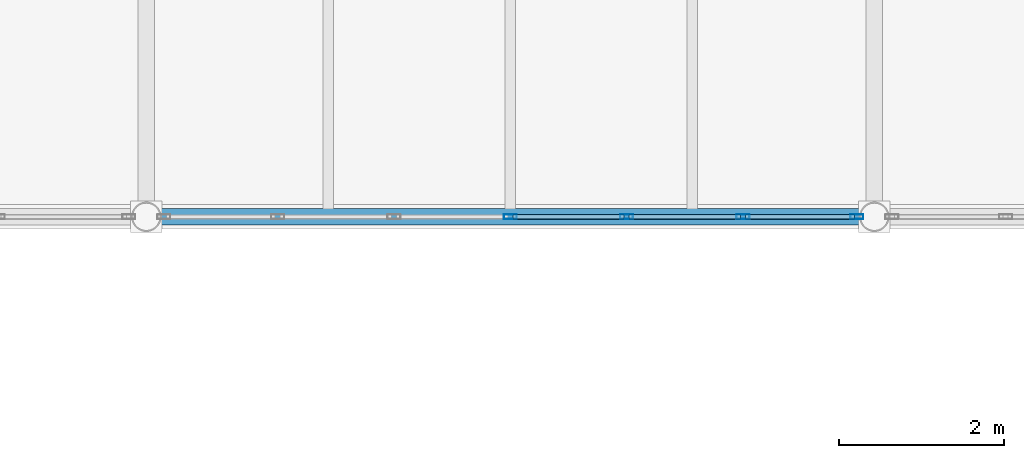
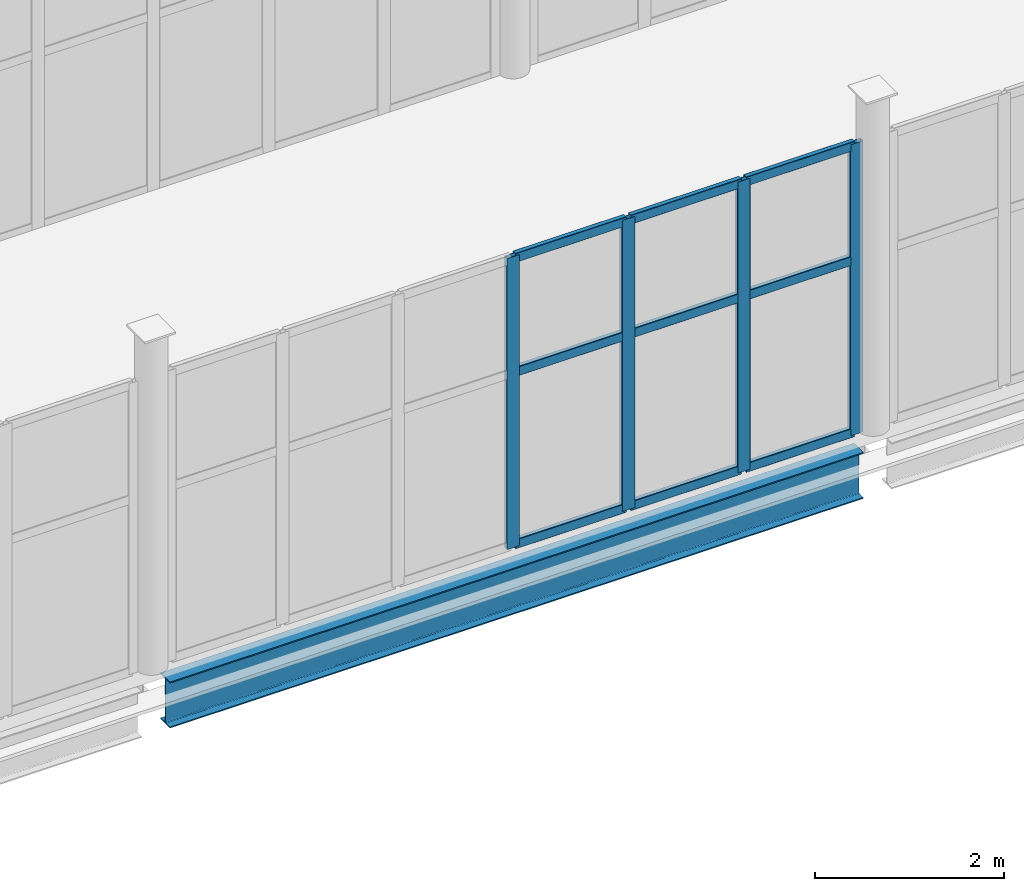
# One storey, part 51 of 172: 13 members, 1 beam, 1 element without a shape of its own.
"""IFC4 building model written with IfcOpenShell, lengths in metres."""

from ifc_helpers import new_model, si_unit, direction, frame, origin, origin_2d, place, context, subcontext, project, spatial, hollow_rectangle, i_section, extrude, material, material_profile, profile_set, type_object, element, aggregate, save


model = new_model("IFC4")

# Units and contexts
model_context = context("Model", 3, precision=1e-05, world=origin(), true_north=direction((0.0, 1.0)))
body_context = subcontext(model_context, "Body", "Model", "MODEL_VIEW")
ifc_project = project(units=[si_unit("LENGTHUNIT", "METRE"), si_unit("AREAUNIT", "SQUARE_METRE"), si_unit("VOLUMEUNIT", "CUBIC_METRE"), si_unit("PLANEANGLEUNIT", "RADIAN"), si_unit("MASSUNIT", "GRAM", prefix="KILO")], contexts=[model_context])

# Site, building, storey
site_placement = place(None, origin())
site = spatial("IfcSite", under=ifc_project, at=site_placement, CompositionType="ELEMENT")
building_placement = place(site_placement, origin())
building = spatial("IfcBuilding", under=site, at=building_placement, Name="Shengluoqiao Park Theatre", CompositionType="ELEMENT")
storey_placement = place(building_placement, frame((0.0, 0.0, 5.39990234375)))
storey = spatial("IfcBuildingStorey", under=building, at=storey_placement, Name="L01", CompositionType="ELEMENT", Elevation=5.39990234375)

# Curtain wall, members
ifc_material_1 = material(Name="Aluminium 6063-T6", Category="aluminium")
curtain_wall_type = type_object("IfcCurtainWallType", Name="ENV-CW-BRIDGE", PredefinedType="NOTDEFINED", material=ifc_material_1)
curtain_wall_placement = place(storey_placement, origin())
curtain_wall = element("IfcCurtainWall", 1, at=curtain_wall_placement, inside=storey, type_object=curtain_wall_type, Name="L01 Curtain Wall CWX-L01-0128", PredefinedType="NOTDEFINED")
ifc_material_profile_1 = material_profile(ifc_material_1, hollow_rectangle(XDim=0.06005859375, YDim=0.159912109375, WallThickness=0.00390625, InnerFilletRadius=0.00390625, OuterFilletRadius=0.008056640625, at=origin_2d()), Name="ALU MULLION 160x60x4")
ifc_profile_set_1 = profile_set([ifc_material_profile_1], Name="Aluminium 6063-T6")
member_type_1 = type_object("IfcMemberType", Name="ENV-MUL-160", PredefinedType="MULLION", material=ifc_profile_set_1)
member_1_placement = place(storey_placement, frame((90.800048828125, 53.199951171875, 0.0), z_axis=(0.0, 0.0, 1.0), x_axis=(0.0, 1.0, 0.0)))
member_1 = element("IfcMember", 2, at=member_1_placement, type_object=member_type_1, Name="CW-03 mullion 4", PredefinedType="MULLION", context=body_context, shape_type="SweptSolid", body=[
    extrude(hollow_rectangle(XDim=0.06005859375, YDim=0.159912109375, WallThickness=0.00390625, InnerFilletRadius=0.00390625, OuterFilletRadius=0.008056640625, at=origin_2d()), origin(), (0.0, 0.0, 1.0), 3.752197265625),
])
member_2_placement = place(storey_placement, frame((92.2060546875, 53.199951171875, 0.0), z_axis=(0.0, 0.0, 1.0), x_axis=(0.0, 1.0, 0.0)))
member_2 = element("IfcMember", 3, at=member_2_placement, type_object=member_type_1, Name="CW-03 mullion 5", PredefinedType="MULLION", context=body_context, shape_type="SweptSolid", body=[
    extrude(hollow_rectangle(XDim=0.06005859375, YDim=0.159912109375, WallThickness=0.00390625, InnerFilletRadius=0.00390625, OuterFilletRadius=0.008056640625, at=origin_2d()), origin(), (0.0, 0.0, 1.0), 3.752197265625),
])
member_3_placement = place(storey_placement, frame((93.612060546875, 53.199951171875, 0.0), z_axis=(0.0, 0.0, 1.0), x_axis=(0.0, 1.0, 0.0)))
member_3 = element("IfcMember", 4, at=member_3_placement, type_object=member_type_1, Name="CW-03 mullion 6", PredefinedType="MULLION", context=body_context, shape_type="SweptSolid", body=[
    extrude(hollow_rectangle(XDim=0.06005859375, YDim=0.159912109375, WallThickness=0.00390625, InnerFilletRadius=0.00390625, OuterFilletRadius=0.008056640625, at=origin_2d()), origin(), (0.0, 0.0, 1.0), 3.752197265625),
])
member_4_placement = place(storey_placement, frame((94.988037109375, 53.199951171875, 0.0), z_axis=(0.0, 0.0, 1.0), x_axis=(0.0, 1.0, 0.0)))
member_4 = element("IfcMember", 5, at=member_4_placement, type_object=member_type_1, Name="CW-03 mullion 7", PredefinedType="MULLION", context=body_context, shape_type="SweptSolid", body=[
    extrude(hollow_rectangle(XDim=0.06005859375, YDim=0.159912109375, WallThickness=0.00390625, InnerFilletRadius=0.00390625, OuterFilletRadius=0.008056640625, at=origin_2d()), origin(), (0.0, 0.0, 1.0), 3.752197265625),
])
ifc_material_profile_2 = material_profile(ifc_material_1, hollow_rectangle(XDim=0.06005859375, YDim=0.1201171875, WallThickness=0.00390625, InnerFilletRadius=0.00390625, OuterFilletRadius=0.008056640625, at=origin_2d()), Name="ALU TRANSOM 120x60x4")
ifc_profile_set_2 = profile_set([ifc_material_profile_2], Name="Aluminium 6063-T6")
member_type_2 = type_object("IfcMemberType", Name="ENV-TRN-120", PredefinedType="USERDEFINED", material=ifc_profile_set_2)
member_5_placement = place(storey_placement, frame((90.830078125, 53.199951171875, 0.030029296875), z_axis=(1.0, 0.0, 0.0), x_axis=(0.0, 1.0, 0.0)))
member_5 = element("IfcMember", 6, at=member_5_placement, type_object=member_type_2, Name="CW-03 transom 4.1", ObjectType="TRANSOM", PredefinedType="USERDEFINED", context=body_context, shape_type="SweptSolid", body=[
    extrude(hollow_rectangle(XDim=0.06005859375, YDim=0.1201171875, WallThickness=0.00390625, InnerFilletRadius=0.00390625, OuterFilletRadius=0.008056640625, at=origin_2d()), origin(), (0.0, 0.0, 1.0), 1.345947265625),
])
member_6_placement = place(storey_placement, frame((90.830078125, 53.199951171875, 2.2509765625), z_axis=(1.0, 0.0, 0.0), x_axis=(0.0, 1.0, 0.0)))
member_6 = element("IfcMember", 7, at=member_6_placement, type_object=member_type_2, Name="CW-03 transom 4.2", ObjectType="TRANSOM", PredefinedType="USERDEFINED", context=body_context, shape_type="SweptSolid", body=[
    extrude(hollow_rectangle(XDim=0.06005859375, YDim=0.1201171875, WallThickness=0.00390625, InnerFilletRadius=0.00390625, OuterFilletRadius=0.008056640625, at=origin_2d()), origin(), (0.0, 0.0, 1.0), 1.345947265625),
])
member_7_placement = place(storey_placement, frame((90.830078125, 53.199951171875, 3.72216796875), z_axis=(1.0, 0.0, 0.0), x_axis=(0.0, 1.0, 0.0)))
member_7 = element("IfcMember", 8, at=member_7_placement, type_object=member_type_2, Name="CW-03 transom 4.3", ObjectType="TRANSOM", PredefinedType="USERDEFINED", context=body_context, shape_type="SweptSolid", body=[
    extrude(hollow_rectangle(XDim=0.06005859375, YDim=0.1201171875, WallThickness=0.00390625, InnerFilletRadius=0.00390625, OuterFilletRadius=0.008056640625, at=origin_2d()), origin(), (0.0, 0.0, 1.0), 1.345947265625),
])
member_8_placement = place(storey_placement, frame((92.236083984375, 53.199951171875, 0.030029296875), z_axis=(1.0, 0.0, 0.0), x_axis=(0.0, 1.0, 0.0)))
member_8 = element("IfcMember", 9, at=member_8_placement, type_object=member_type_2, Name="CW-03 transom 5.1", ObjectType="TRANSOM", PredefinedType="USERDEFINED", context=body_context, shape_type="SweptSolid", body=[
    extrude(hollow_rectangle(XDim=0.06005859375, YDim=0.1201171875, WallThickness=0.00390625, InnerFilletRadius=0.00390625, OuterFilletRadius=0.008056640625, at=origin_2d()), origin(), (0.0, 0.0, 1.0), 1.345947265625),
])
member_9_placement = place(storey_placement, frame((92.236083984375, 53.199951171875, 2.2509765625), z_axis=(1.0, 0.0, 0.0), x_axis=(0.0, 1.0, 0.0)))
member_9 = element("IfcMember", 10, at=member_9_placement, type_object=member_type_2, Name="CW-03 transom 5.2", ObjectType="TRANSOM", PredefinedType="USERDEFINED", context=body_context, shape_type="SweptSolid", body=[
    extrude(hollow_rectangle(XDim=0.06005859375, YDim=0.1201171875, WallThickness=0.00390625, InnerFilletRadius=0.00390625, OuterFilletRadius=0.008056640625, at=origin_2d()), origin(), (0.0, 0.0, 1.0), 1.345947265625),
])
member_10_placement = place(storey_placement, frame((92.236083984375, 53.199951171875, 3.72216796875), z_axis=(1.0, 0.0, 0.0), x_axis=(0.0, 1.0, 0.0)))
member_10 = element("IfcMember", 11, at=member_10_placement, type_object=member_type_2, Name="CW-03 transom 5.3", ObjectType="TRANSOM", PredefinedType="USERDEFINED", context=body_context, shape_type="SweptSolid", body=[
    extrude(hollow_rectangle(XDim=0.06005859375, YDim=0.1201171875, WallThickness=0.00390625, InnerFilletRadius=0.00390625, OuterFilletRadius=0.008056640625, at=origin_2d()), origin(), (0.0, 0.0, 1.0), 1.345947265625),
])
member_11_placement = place(storey_placement, frame((93.64208984375, 53.199951171875, 0.030029296875), z_axis=(1.0, 0.0, 0.0), x_axis=(0.0, 1.0, 0.0)))
member_11 = element("IfcMember", 12, at=member_11_placement, type_object=member_type_2, Name="CW-03 transom 6.1", ObjectType="TRANSOM", PredefinedType="USERDEFINED", context=body_context, shape_type="SweptSolid", body=[
    extrude(hollow_rectangle(XDim=0.06005859375, YDim=0.1201171875, WallThickness=0.00390625, InnerFilletRadius=0.00390625, OuterFilletRadius=0.008056640625, at=origin_2d()), origin(), (0.0, 0.0, 1.0), 1.31591796875),
])
member_12_placement = place(storey_placement, frame((93.64208984375, 53.199951171875, 2.2509765625), z_axis=(1.0, 0.0, 0.0), x_axis=(0.0, 1.0, 0.0)))
member_12 = element("IfcMember", 13, at=member_12_placement, type_object=member_type_2, Name="CW-03 transom 6.2", ObjectType="TRANSOM", PredefinedType="USERDEFINED", context=body_context, shape_type="SweptSolid", body=[
    extrude(hollow_rectangle(XDim=0.06005859375, YDim=0.1201171875, WallThickness=0.00390625, InnerFilletRadius=0.00390625, OuterFilletRadius=0.008056640625, at=origin_2d()), origin(), (0.0, 0.0, 1.0), 1.31591796875),
])
member_13_placement = place(storey_placement, frame((93.64208984375, 53.199951171875, 3.72216796875), z_axis=(1.0, 0.0, 0.0), x_axis=(0.0, 1.0, 0.0)))
member_13 = element("IfcMember", 14, at=member_13_placement, type_object=member_type_2, Name="CW-03 transom 6.3", ObjectType="TRANSOM", PredefinedType="USERDEFINED", context=body_context, shape_type="SweptSolid", body=[
    extrude(hollow_rectangle(XDim=0.06005859375, YDim=0.1201171875, WallThickness=0.00390625, InnerFilletRadius=0.00390625, OuterFilletRadius=0.008056640625, at=origin_2d()), origin(), (0.0, 0.0, 1.0), 1.31591796875),
])
aggregate(curtain_wall, [member_1, member_2, member_3, member_4, member_5, member_6, member_7, member_8, member_9, member_10, member_11, member_12, member_13])

# Beam
ifc_material_2 = material(Name="Steel Q355", Category="steel")
ifc_material_profile_3 = material_profile(ifc_material_2, i_section(OverallWidth=0.198974609375, OverallDepth=0.595947265625, WebThickness=0.010009765625, FlangeThickness=0.014892578125, FilletRadius=0.02001953125, at=origin_2d()), Name="HN 596x199x10x15")
ifc_profile_set_3 = profile_set([ifc_material_profile_3], Name="Steel Q355")
beam_type = type_object("IfcBeamType", Name="STR-BM-SP-HN596", PredefinedType="SPANDREL", material=ifc_profile_set_3)
beam_placement = place(storey_placement, frame((86.572021484375, 53.199951171875, -0.5078125), z_axis=(1.0, 0.0, 0.0), x_axis=(0.0, 1.0, 0.0)))
element("IfcBeam", 15, at=beam_placement, inside=storey, type_object=beam_type, Name="L01 Primary Girder 00566", PredefinedType="SPANDREL", context=body_context, shape_type="SweptSolid", body=[
    extrude(i_section(OverallWidth=0.198974609375, OverallDepth=0.595947265625, WebThickness=0.010009765625, FlangeThickness=0.014892578125, FilletRadius=0.02001953125, at=origin_2d()), origin(), (0.0, 0.0, 1.0), 8.4560546875),
])

save(model, "model.ifc")
